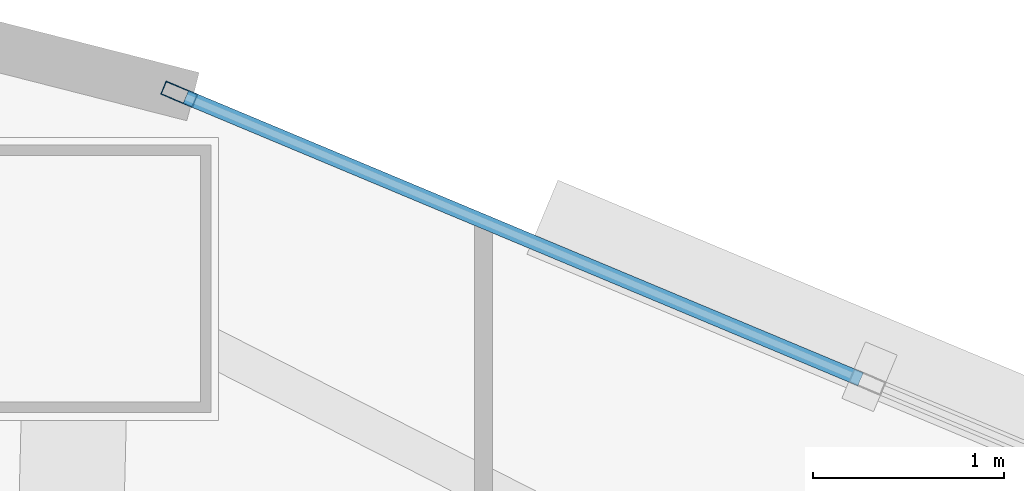
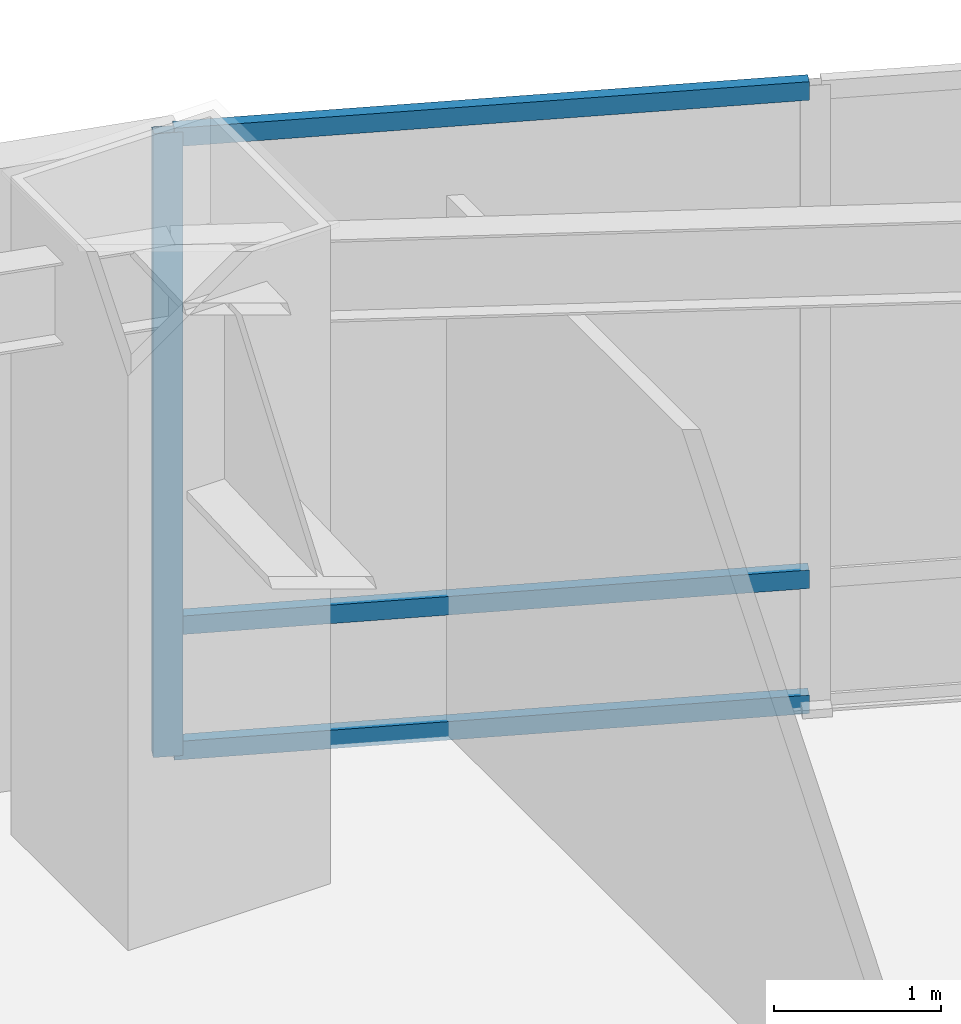
# One storey, part 14 of 19: 4 members, 1 element without a shape of its own.
"""IFC4 building model written with IfcOpenShell, lengths in metres."""

from ifc_helpers import new_model, si_unit, direction, frame, origin, origin_2d, place, context, subcontext, project, spatial, hollow_rectangle, extrude, material, layer, layer_set, material_profile, profile_set, type_object, element, aggregate, save


model = new_model("IFC4")

# Units and contexts
model_context = context("Model", 3, precision=1e-05, world=origin(), true_north=direction((0.0, 1.0)))
body_context = subcontext(model_context, "Body", "Model", "MODEL_VIEW")
ifc_project = project(units=[si_unit("LENGTHUNIT", "METRE"), si_unit("AREAUNIT", "SQUARE_METRE"), si_unit("VOLUMEUNIT", "CUBIC_METRE"), si_unit("PLANEANGLEUNIT", "RADIAN"), si_unit("MASSUNIT", "GRAM", prefix="KILO")], contexts=[model_context])

# Site, building, storey
site_placement = place(None, origin())
site = spatial("IfcSite", under=ifc_project, at=site_placement, CompositionType="ELEMENT")
building_placement = place(site_placement, origin())
building = spatial("IfcBuilding", under=site, at=building_placement, Name="Menara Vayukalpa", CompositionType="ELEMENT")
storey_placement = place(building_placement, frame((0.0, 0.0, 22.800048828125)))
storey = spatial("IfcBuildingStorey", under=building, at=storey_placement, Name="L04", CompositionType="ELEMENT", Elevation=22.800048828125)

# Curtain wall, members
ifc_material_1 = material(Name="Anodised Terracotta Aluminium Alloy 6063-T6", Category="masonry")
ifc_layer = layer(ifc_material_1, 0.179931640625)
ifc_layer_set = layer_set([ifc_layer], Name="Anodised Terracotta Aluminium Alloy 6063-T6")
curtain_wall_type = type_object("IfcCurtainWallType", Name="CW-CW1", PredefinedType="USERDEFINED", material=ifc_layer_set)
curtain_wall_placement = place(storey_placement, origin())
curtain_wall = element("IfcCurtainWall", 1, at=curtain_wall_placement, inside=storey, type_object=curtain_wall_type, Name="L04 Podium Unitised Ribbon Curtain Wall CW1 05", ObjectType="UNITISED", PredefinedType="USERDEFINED")
ifc_material_2 = material(Name="Anodised Terracotta Aluminium Alloy 6063-T6", Category="masonry")
ifc_material_profile_1 = material_profile(ifc_material_2, hollow_rectangle(XDim=0.074951171875, YDim=0.179931640625, WallThickness=0.00390625, at=origin_2d()), Name="ALU 75x180x4")
ifc_profile_set_1 = profile_set([ifc_material_profile_1], Name="Anodised Terracotta Aluminium Alloy 6063-T6")
member_type_1 = type_object("IfcMemberType", Name="CWM-CW1", PredefinedType="MULLION", material=ifc_profile_set_1)
member_1_placement = place(storey_placement, frame((24.00927734375, 37.16552734375, 0.0), z_axis=(0.0, 0.0, 1.0), x_axis=(-0.385890613077, -0.922544543499, 0.0)))
member_1 = element("IfcMember", 2, at=member_1_placement, type_object=member_type_1, Name="CW1 mullion 3", PredefinedType="MULLION", context=body_context, shape_type="SweptSolid", body=[
    extrude(hollow_rectangle(XDim=0.074951171875, YDim=0.179931640625, WallThickness=0.00390625, at=origin_2d()), origin(), (0.0, 0.0, 1.0), 4.550048828125),
])
ifc_material_3 = material(Name="Anodised Terracotta Aluminium Alloy 6063-T6", Category="masonry")
ifc_material_profile_2 = material_profile(ifc_material_3, hollow_rectangle(XDim=0.074951171875, YDim=0.135009765625, WallThickness=0.00390625, at=origin_2d()), Name="ALU 75x135x4")
ifc_profile_set_2 = profile_set([ifc_material_profile_2], Name="Anodised Terracotta Aluminium Alloy 6063-T6")
member_type_2 = type_object("IfcMemberType", Name="CWT-CW1", PredefinedType="USERDEFINED", material=ifc_profile_set_2)
member_2_placement = place(storey_placement, frame((27.573486328125, 35.6748046875, 0.037353515625), z_axis=(-0.922549314237, 0.385879207525, 0.0), x_axis=(-0.385879207525, -0.922549314237, 0.0)))
member_2 = element("IfcMember", 3, at=member_2_placement, type_object=member_type_2, Name="CW1 transom 2.1", ObjectType="TRANSOM", PredefinedType="USERDEFINED", context=body_context, shape_type="SweptSolid", body=[
    extrude(hollow_rectangle(XDim=0.074951171875, YDim=0.135009765625, WallThickness=0.00390625, at=origin_2d()), origin(), (0.0, 0.0, 1.0), 3.825927734375),
])
member_3_placement = place(storey_placement, frame((27.573486328125, 35.6748046875, 0.949951171875), z_axis=(-0.922549314237, 0.385879207525, 0.0), x_axis=(-0.385879207525, -0.922549314237, 0.0)))
member_3 = element("IfcMember", 4, at=member_3_placement, type_object=member_type_2, Name="CW1 transom 2.2", ObjectType="TRANSOM", PredefinedType="USERDEFINED", context=body_context, shape_type="SweptSolid", body=[
    extrude(hollow_rectangle(XDim=0.074951171875, YDim=0.135009765625, WallThickness=0.00390625, at=origin_2d()), origin(), (0.0, 0.0, 1.0), 3.825927734375),
])
member_4_placement = place(storey_placement, frame((27.573486328125, 35.6748046875, 4.512451171875), z_axis=(-0.922549314237, 0.385879207525, 0.0), x_axis=(-0.385879207525, -0.922549314237, 0.0)))
member_4 = element("IfcMember", 5, at=member_4_placement, type_object=member_type_2, Name="CW1 transom 2.3", ObjectType="TRANSOM", PredefinedType="USERDEFINED", context=body_context, shape_type="SweptSolid", body=[
    extrude(hollow_rectangle(XDim=0.074951171875, YDim=0.135009765625, WallThickness=0.00390625, at=origin_2d()), origin(), (0.0, 0.0, 1.0), 3.825927734375),
])
aggregate(curtain_wall, [member_1, member_2, member_3, member_4])

save(model, "model.ifc")
